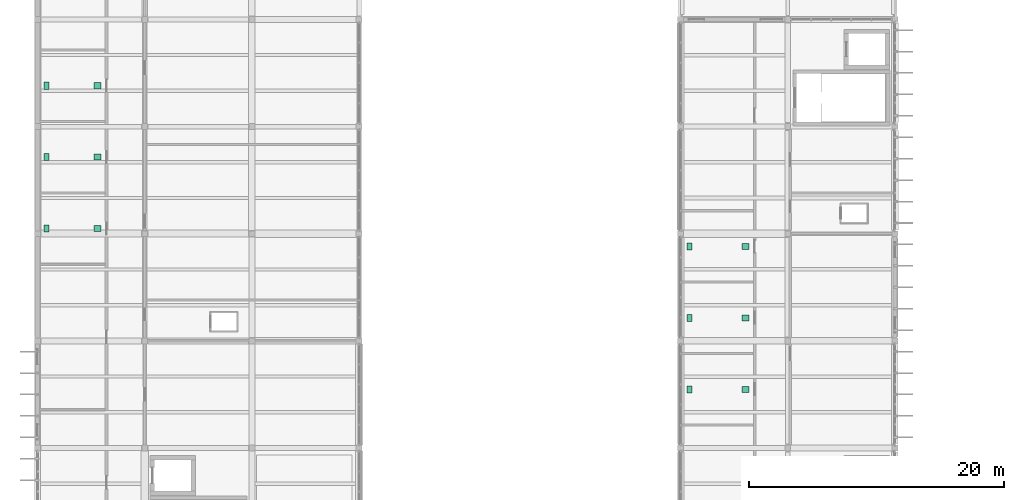
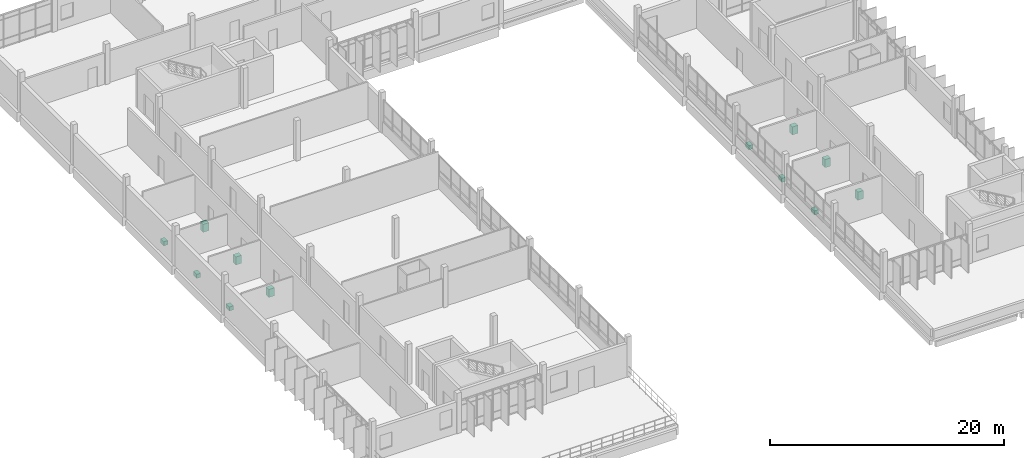
# One storey, part 62 of 62: 12 sanitary terminals.
"""IFC4 building model written with IfcOpenShell, lengths in metres."""

from ifc_helpers import new_model, si_unit, direction, frame, origin, origin_2d, place, context, subcontext, project, spatial, rectangle, extrude, material, type_object, element, save


model = new_model("IFC4")

# Units and contexts
model_context = context("Model", 3, precision=1e-05, world=origin(), true_north=direction((0.0, 1.0)))
body_context = subcontext(model_context, "Body", "Model", "MODEL_VIEW")
ifc_project = project(units=[si_unit("LENGTHUNIT", "METRE"), si_unit("AREAUNIT", "SQUARE_METRE"), si_unit("VOLUMEUNIT", "CUBIC_METRE"), si_unit("PLANEANGLEUNIT", "RADIAN"), si_unit("MASSUNIT", "GRAM", prefix="KILO")], contexts=[model_context])

# Site, building, storey
site_placement = place(None, origin())
site = spatial("IfcSite", under=ifc_project, at=site_placement, CompositionType="ELEMENT")
building_placement = place(site_placement, origin())
building = spatial("IfcBuilding", under=site, at=building_placement, Name="Vireocrest Preparatory School", CompositionType="ELEMENT")
storey_placement = place(building_placement, frame((0.0, 0.0, 17.39990234375)))
storey = spatial("IfcBuildingStorey", under=building, at=storey_placement, Name="L04", CompositionType="ELEMENT", Elevation=17.39990234375)

# Sanitary terminals
ifc_material = material(Name="Vitreous china sanitaryware")
sanitary_terminal_type_1 = type_object("IfcSanitaryTerminalType", Name="Accessible Ceramic Washbasin", PredefinedType="WASHHANDBASIN", material=ifc_material)
for number, where, z_axis, x_axis, name in (
    (1, (46.68994140625, 69.39990234375, 0.0), (0.0, 0.0, 1.0), (1.0, 0.0, 0.0), "Accessible Washbasin L04-W4W03"),
    (2, (46.68994140625, 75.0, 0.0), (0.0, 0.0, 1.0), (1.0, 0.0, 0.0), "Accessible Washbasin L04-W4W04"),
    (3, (46.68994140625, 80.60009765625, 0.0), (0.0, 0.0, 1.0), (1.0, 0.0, 0.0), "Accessible Washbasin L04-W4W05"),
    (4, (97.489990234375, 56.800048828125, 0.0), (0.0, 0.0, 1.0), (1.0, 0.0, 0.0), "Accessible Washbasin L04-E4W02"),
    (5, (97.489990234375, 62.39990234375, 0.0), (0.0, 0.0, 1.0), (1.0, 0.0, 0.0), "Accessible Washbasin L04-E4W03"),
    (6, (97.489990234375, 68.0, 0.0), (0.0, 0.0, 1.0), (1.0, 0.0, 0.0), "Accessible Washbasin L04-E4W04"),
):
    element("IfcSanitaryTerminal", number, at=place(storey_placement, frame(where, z_axis=z_axis, x_axis=x_axis)), inside=storey, type_object=sanitary_terminal_type_1, Name=name, PredefinedType="WASHHANDBASIN", context=body_context, shape_type="SweptSolid", body=[
        extrude(rectangle(XDim=0.550048828125, YDim=0.47998046875, at=origin_2d()), origin(), (0.0, 0.0, 1.0), 0.840087890625),
    ])
sanitary_terminal_type_2 = type_object("IfcSanitaryTerminalType", Name="Wall-Hung Vitreous China WC Pan", PredefinedType="TOILETPAN", material=ifc_material)
for number, where, z_axis, x_axis, name in (
    (7, (42.7099609375, 69.39990234375, 0.000244140625), (0.0, 0.0, 1.0), (1.0, 0.0, 0.0), "WC Pan L04-W4W03"),
    (8, (42.7099609375, 75.0, 0.000244140625), (0.0, 0.0, 1.0), (1.0, 0.0, 0.0), "WC Pan L04-W4W04"),
    (9, (42.7099609375, 80.60009765625, 0.000244140625), (0.0, 0.0, 1.0), (1.0, 0.0, 0.0), "WC Pan L04-W4W05"),
    (10, (93.110107421875, 56.800048828125, 0.000244140625), (0.0, 0.0, 1.0), (1.0, 0.0, 0.0), "WC Pan L04-E4W02"),
    (11, (93.110107421875, 62.39990234375, 0.000244140625), (0.0, 0.0, 1.0), (1.0, 0.0, 0.0), "WC Pan L04-E4W03"),
    (12, (93.110107421875, 68.0, 0.000244140625), (0.0, 0.0, 1.0), (1.0, 0.0, 0.0), "WC Pan L04-E4W04"),
):
    element("IfcSanitaryTerminal", number, at=place(storey_placement, frame(where, z_axis=z_axis, x_axis=x_axis)), inside=storey, type_object=sanitary_terminal_type_2, Name=name, PredefinedType="TOILETPAN", context=body_context, shape_type="SweptSolid", body=[
        extrude(rectangle(XDim=0.39990234375, YDim=0.56005859375, at=origin_2d()), origin(), (0.0, 0.0, 1.0), 0.419921875),
    ])

save(model, "model.ifc")
